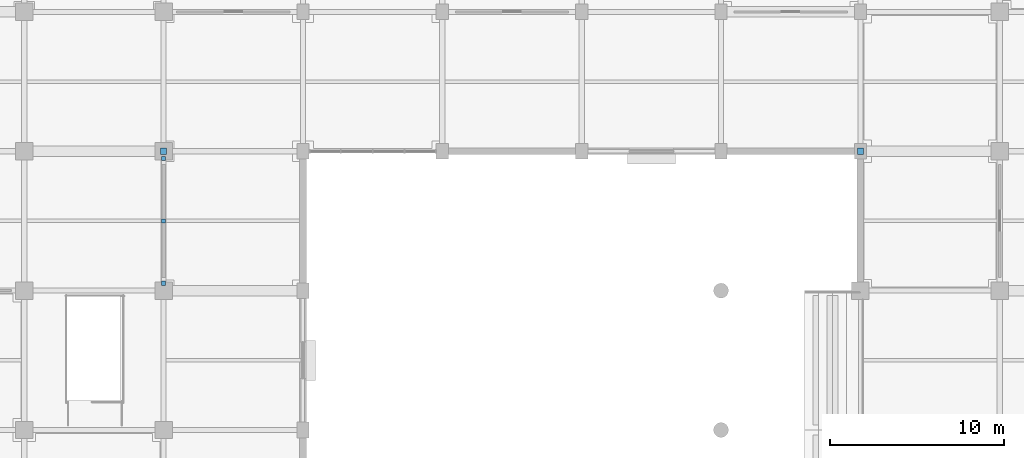
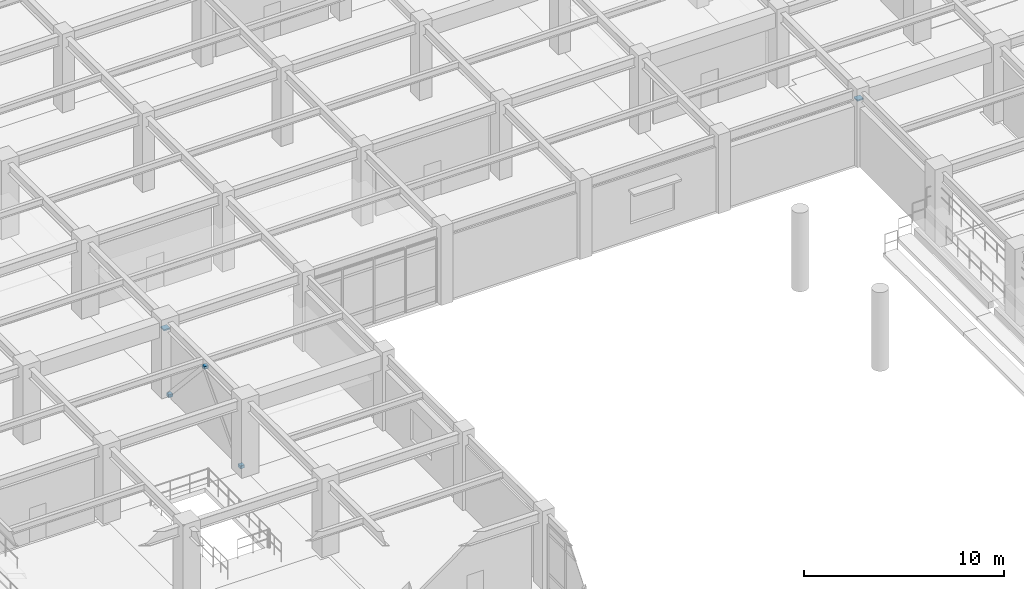
# One storey, part 95 of 117: 5 discrete accessories.
"""IFC4 building model written with IfcOpenShell, lengths in metres."""

from ifc_helpers import new_model, si_unit, direction, frame, origin, origin_2d, place, context, subcontext, project, spatial, rectangle, extrude, material, layer, layer_set, type_object, element, save


model = new_model("IFC4")

# Units and contexts
model_context = context("Model", 3, precision=1e-05, world=origin(), true_north=direction((0.0, 1.0)))
body_context = subcontext(model_context, "Body", "Model", "MODEL_VIEW")
ifc_project = project(units=[si_unit("LENGTHUNIT", "METRE"), si_unit("AREAUNIT", "SQUARE_METRE"), si_unit("VOLUMEUNIT", "CUBIC_METRE"), si_unit("PLANEANGLEUNIT", "RADIAN"), si_unit("MASSUNIT", "GRAM", prefix="KILO")], contexts=[model_context])

# Site, building, storey
site_placement = place(None, origin())
site = spatial("IfcSite", under=ifc_project, at=site_placement, CompositionType="ELEMENT")
building_placement = place(site_placement, origin())
building = spatial("IfcBuilding", under=site, at=building_placement, Name="Haebicheon Civic Stadium", CompositionType="ELEMENT")
storey_placement = place(building_placement, frame((0.0, 0.0, 4.800048828125)))
storey = spatial("IfcBuildingStorey", under=building, at=storey_placement, Name="L02", CompositionType="ELEMENT", Elevation=4.800048828125)

# Discrete accessories
ifc_material_1 = material(Name="Steel SM490", Category="steel")
ifc_layer_1 = layer(ifc_material_1, 0.080078125, Name="Steel SM490")
ifc_layer_set_1 = layer_set([ifc_layer_1], Name="Steel SM490")
discrete_accessory_type_1 = type_object("IfcDiscreteAccessoryType", Name="BRG-PTFE-350", PredefinedType="SHOE", material=ifc_layer_set_1)
for number, where, z_axis, x_axis, name in (
    (1, (160.0, 136.0, 3.81982421875), (0.0, 0.0, 1.0), (1.0, 0.0, 0.0), "Movement joint unguided PTFE sliding bearing 8"),
    (2, (200.0, 136.0, 3.81982421875), (0.0, 0.0, 1.0), (1.0, 0.0, 0.0), "Movement joint unguided PTFE sliding bearing 12"),
):
    element("IfcDiscreteAccessory", number, at=place(storey_placement, frame(where, z_axis=z_axis, x_axis=x_axis)), inside=storey, type_object=discrete_accessory_type_1, material=ifc_layer_set_1, Name=name, PredefinedType="SHOE", context=body_context, shape_type="SweptSolid", body=[
        extrude(rectangle(XDim=0.35009765625, YDim=0.35009765625, at=origin_2d()), origin(), (0.0, 0.0, 1.0), 0.080078125),
    ])
ifc_material_2 = material(Name="White painted steel SM490", Category="steel")
ifc_layer_2 = layer(ifc_material_2, 0.179931640625, Name="White painted steel SM490")
ifc_layer_set_2 = layer_set([ifc_layer_2], Name="White painted steel SM490")
discrete_accessory_type_2 = type_object("IfcDiscreteAccessoryType", Name="BRK-END-PLT", PredefinedType="BRACKET", material=ifc_layer_set_2)
for number, where, z_axis, x_axis, name in (
    (3, (160.0, 128.419921875, -0.0498046875), (0.0, 0.0, 1.0), (1.0, 0.0, 0.0), "Brace L02-19-16 bolted end connection plate"),
    (4, (160.0, 135.580078125, -0.0498046875), (0.0, 0.0, 1.0), (1.0, 0.0, 0.0), "Brace L02-19-16 bolted end connection plate"),
    (5, (160.0, 132.0, 3.85009765625), (0.0, 0.0, 1.0), (1.0, 0.0, 0.0), "Brace L02-19-16 bolted end connection plate"),
):
    element("IfcDiscreteAccessory", number, at=place(storey_placement, frame(where, z_axis=z_axis, x_axis=x_axis)), inside=storey, type_object=discrete_accessory_type_2, material=ifc_layer_set_2, Name=name, PredefinedType="BRACKET", context=body_context, shape_type="SweptSolid", body=[
        extrude(rectangle(XDim=0.239990234375, YDim=0.239990234375, at=origin_2d()), origin(), (0.0, 0.0, 1.0), 0.179931640625),
    ])

save(model, "model.ifc")
